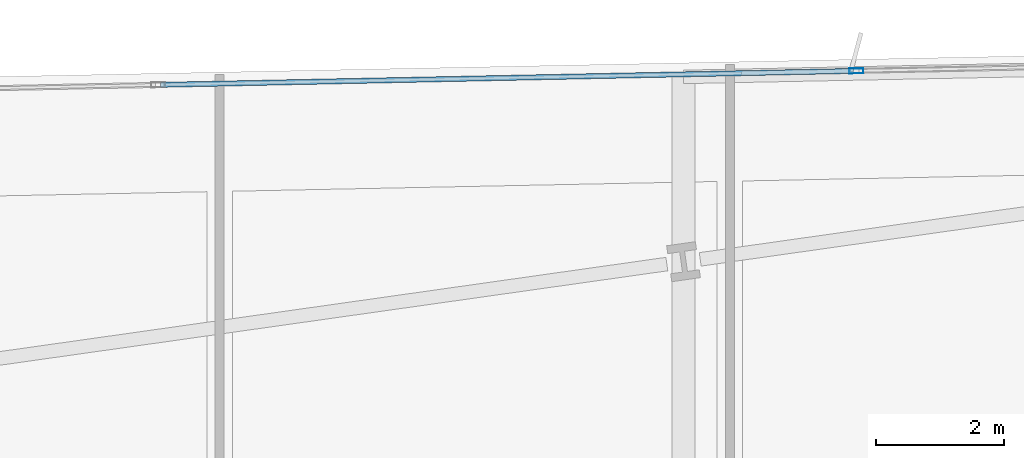
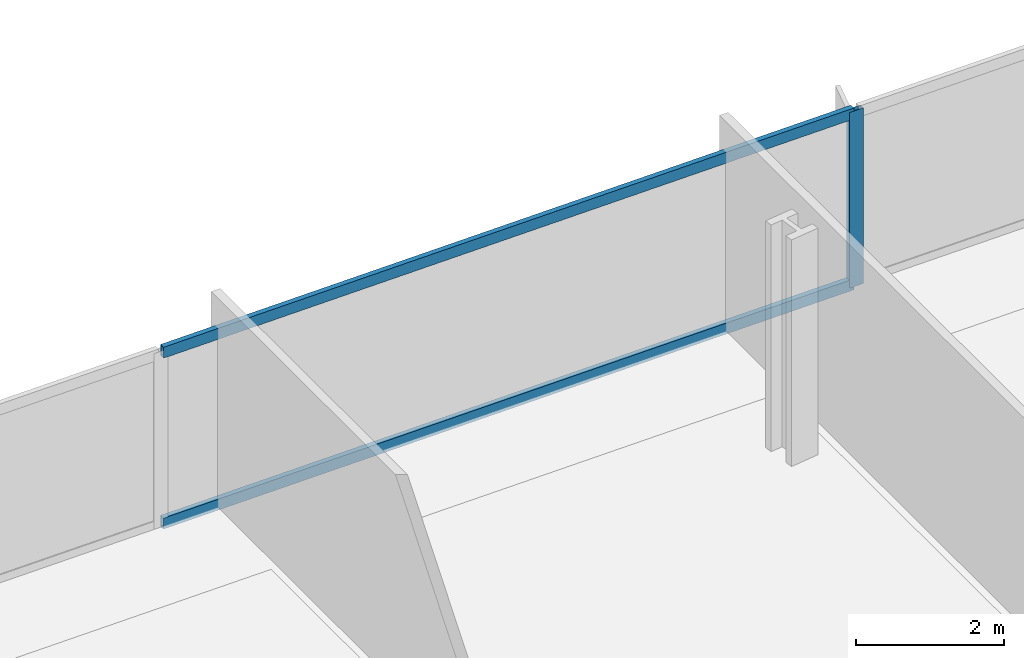
# One storey, part 21 of 35: 3 members, 1 element without a shape of its own.
"""IFC4 building model written with IfcOpenShell, lengths in metres."""

from ifc_helpers import new_model, si_unit, direction, frame, origin, origin_2d, place, context, subcontext, project, spatial, hollow_rectangle, extrude, material, material_profile, profile_set, type_object, element, aggregate, save


model = new_model("IFC4")

# Units and contexts
model_context = context("Model", 3, precision=1e-05, world=origin(), true_north=direction((0.0, 1.0)))
body_context = subcontext(model_context, "Body", "Model", "MODEL_VIEW")
ifc_project = project(units=[si_unit("LENGTHUNIT", "METRE"), si_unit("AREAUNIT", "SQUARE_METRE"), si_unit("VOLUMEUNIT", "CUBIC_METRE"), si_unit("PLANEANGLEUNIT", "RADIAN"), si_unit("MASSUNIT", "GRAM", prefix="KILO")], contexts=[model_context])

# Site, building, storey
site_placement = place(None, origin())
site = spatial("IfcSite", under=ifc_project, at=site_placement, CompositionType="ELEMENT")
building_placement = place(site_placement, origin())
building = spatial("IfcBuilding", under=site, at=building_placement, Name="Haldenkirk Collegiate Tower", CompositionType="ELEMENT")
storey_placement = place(building_placement, frame((0.0, 0.0, 32.699951171875)))
storey = spatial("IfcBuildingStorey", under=building, at=storey_placement, Name="L06", CompositionType="ELEMENT", Elevation=32.699951171875)

# Curtain wall, members
ifc_material = material(Name="Anodised architectural bronze aluminium", Category="aluminium")
curtain_wall_type = type_object("IfcCurtainWallType", Name="CW-SYS1-CONVEX-LOW", PredefinedType="USERDEFINED", material=ifc_material)
curtain_wall_placement = place(storey_placement, origin())
curtain_wall = element("IfcCurtainWall", 1, at=curtain_wall_placement, inside=storey, type_object=curtain_wall_type, Name="L06 Lower tower convex bronze-framed unitised curtain wall", ObjectType="UNITISED CURTAIN WALL", PredefinedType="USERDEFINED")
ifc_material_profile_1 = material_profile(ifc_material, hollow_rectangle(XDim=0.080078125, YDim=0.219970703125, WallThickness=0.0048828125, at=origin_2d()), Name="CW-MUL-1A")
ifc_profile_set_1 = profile_set([ifc_material_profile_1], Name="Anodised architectural bronze aluminium")
member_type_1 = type_object("IfcMemberType", Name="CW-MUL-1A", PredefinedType="MULLION", material=ifc_profile_set_1)
member_1_placement = place(storey_placement, frame((35.481689453125, 51.814697265625, 0.0), z_axis=(0.0, 0.0, 1.0), x_axis=(-0.020068483542, 0.999798607705, 0.0)))
member_1 = element("IfcMember", 2, at=member_1_placement, type_object=member_type_1, Name="CW-1A mullion 3", PredefinedType="MULLION", context=body_context, shape_type="SweptSolid", body=[
    extrude(hollow_rectangle(XDim=0.080078125, YDim=0.219970703125, WallThickness=0.0048828125, at=origin_2d()), origin(), (0.0, 0.0, 1.0), 2.89111328125),
])
ifc_material_profile_2 = material_profile(ifc_material, hollow_rectangle(XDim=0.080078125, YDim=0.179931640625, WallThickness=0.0048828125, at=origin_2d()), Name="CW-TRN-1A")
ifc_profile_set_2 = profile_set([ifc_material_profile_2], Name="Anodised architectural bronze aluminium")
member_type_2 = type_object("IfcMemberType", Name="CW-TRN-1A", PredefinedType="USERDEFINED", material=ifc_profile_set_2)
member_2_placement = place(storey_placement, frame((24.573974609375, 51.595947265625, 0.0400390625), z_axis=(0.999798845797, 0.020056618427, 0.0), x_axis=(-0.020056618427, 0.999798845797, 0.0)))
member_2 = element("IfcMember", 3, at=member_2_placement, type_object=member_type_2, Name="CW-1A transom 2.1", ObjectType="TRANSOM", PredefinedType="USERDEFINED", context=body_context, shape_type="SweptSolid", body=[
    extrude(hollow_rectangle(XDim=0.080078125, YDim=0.179931640625, WallThickness=0.0048828125, at=origin_2d()), origin(), (0.0, 0.0, 1.0), 10.8701171875),
])
member_3_placement = place(storey_placement, frame((24.573974609375, 51.595947265625, 2.85107421875), z_axis=(0.999798845797, 0.020056618427, 0.0), x_axis=(-0.020056618427, 0.999798845797, 0.0)))
member_3 = element("IfcMember", 4, at=member_3_placement, type_object=member_type_2, Name="CW-1A transom 2.2", ObjectType="TRANSOM", PredefinedType="USERDEFINED", context=body_context, shape_type="SweptSolid", body=[
    extrude(hollow_rectangle(XDim=0.080078125, YDim=0.179931640625, WallThickness=0.0048828125, at=origin_2d()), origin(), (0.0, 0.0, 1.0), 10.8701171875),
])
aggregate(curtain_wall, [member_1, member_2, member_3])

save(model, "model.ifc")
